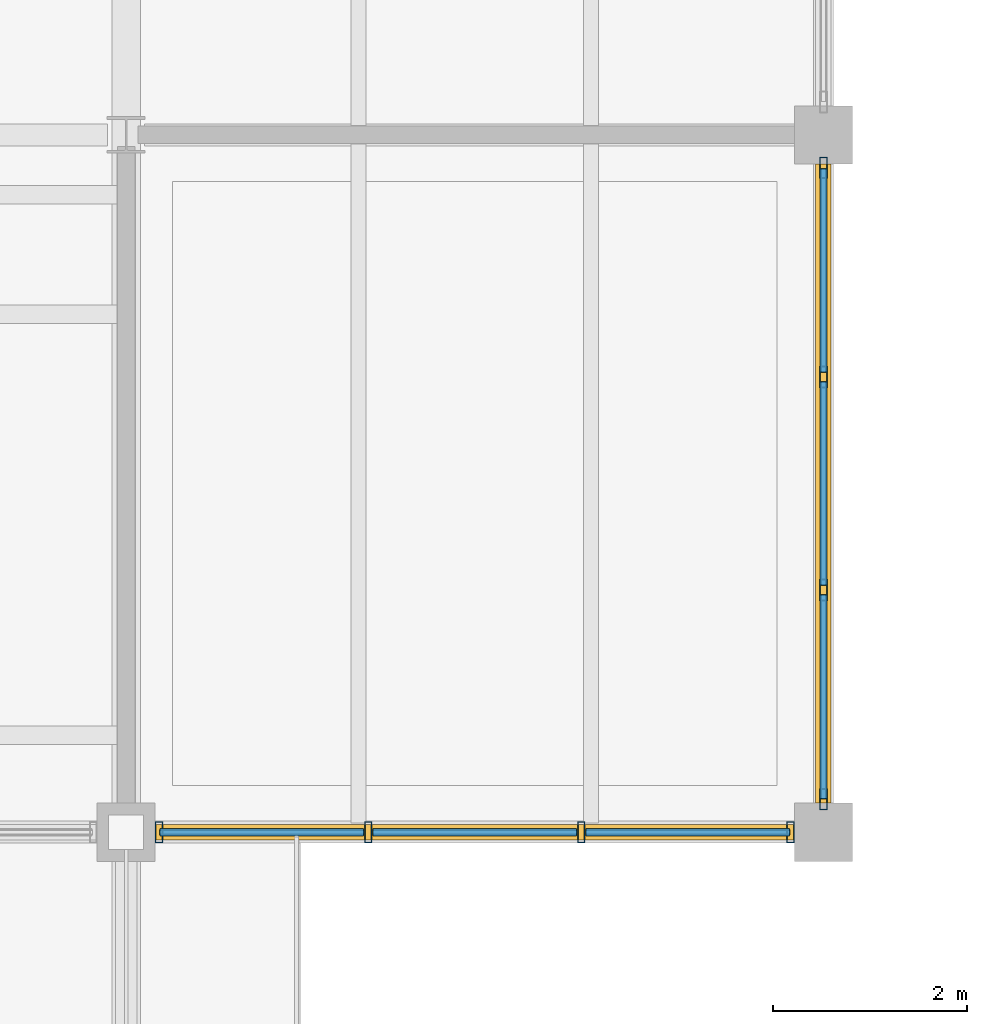
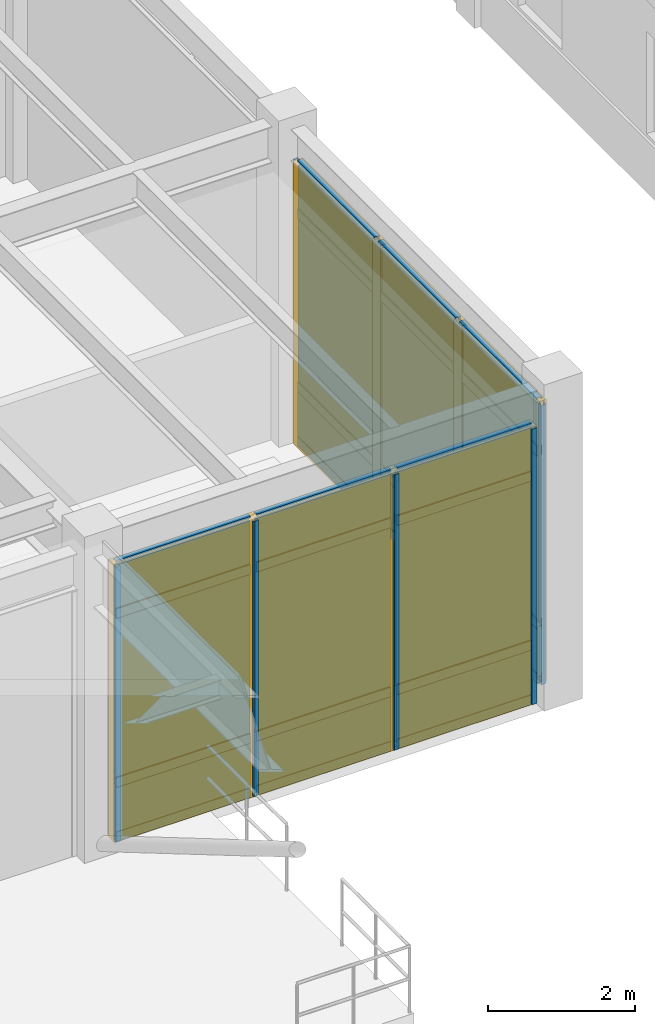
# One storey, part 56 of 97: 32 members, 12 plates, 2 curtain walls.
"""IFC4 building model written with IfcOpenShell, lengths in metres."""

from ifc_helpers import new_model, si_unit, direction, frame, origin, origin_2d, place, context, subcontext, project, spatial, rectangle, hollow_rectangle, extrude, material, layer, layer_set, material_profile, profile_set, type_object, element, aggregate, save


model = new_model("IFC4")

# Units and contexts
model_context = context("Model", 3, precision=1e-05, world=origin(), true_north=direction((0.0, 1.0)))
body_context = subcontext(model_context, "Body", "Model", "MODEL_VIEW")
ifc_project = project(units=[si_unit("LENGTHUNIT", "METRE"), si_unit("AREAUNIT", "SQUARE_METRE"), si_unit("VOLUMEUNIT", "CUBIC_METRE"), si_unit("PLANEANGLEUNIT", "RADIAN"), si_unit("MASSUNIT", "GRAM", prefix="KILO")], contexts=[model_context])

# Member
ifc_material_1 = material(Name="Anodized Aluminium 6063-T6", Category="aluminium")
ifc_material_profile_1 = material_profile(ifc_material_1, hollow_rectangle(XDim=0.074951171875, YDim=0.219970703125, WallThickness=0.0048828125, at=origin_2d()), Name="ALU 75x220x5")
ifc_profile_set_1 = profile_set([ifc_material_profile_1], Name="Anodized Aluminium 6063-T6")
member_type_1 = type_object("IfcMemberType", Name="CWM-75X180", PredefinedType="MULLION", material=ifc_profile_set_1)
site_placement = place(None, origin())
building_placement = place(site_placement, origin())
storey_placement = place(building_placement, origin())
member_1_placement = place(storey_placement, frame((114.860107421875, 7.199951171875, 0.02001953125), z_axis=(0.0, 0.0, 1.0), x_axis=(1.0, 0.0, 0.0)))
member_1 = element("IfcMember", 1, at=member_1_placement, type_object=member_type_1, Name="Curtain wall mullion CW-L01-15-01-S-00", PredefinedType="MULLION", context=body_context, shape_type="SweptSolid", body=[
    extrude(hollow_rectangle(XDim=0.074951171875, YDim=0.219970703125, WallThickness=0.0048828125, at=origin_2d()), origin(), (0.0, 0.0, 1.0), 4.557861328125),
])

member_2_placement = place(storey_placement, frame((112.699951171875, 7.199951171875, 0.02001953125), z_axis=(0.0, 0.0, 1.0), x_axis=(1.0, 0.0, 0.0)))
member_2 = element("IfcMember", 2, at=member_2_placement, type_object=member_type_1, Name="Curtain wall mullion CW-L01-15-01-S-01", PredefinedType="MULLION", context=body_context, shape_type="SweptSolid", body=[
    extrude(hollow_rectangle(XDim=0.074951171875, YDim=0.219970703125, WallThickness=0.0048828125, at=origin_2d()), origin(), (0.0, 0.0, 1.0), 4.557861328125),
])

member_3_placement = place(storey_placement, frame((110.5, 7.199951171875, 0.02001953125), z_axis=(0.0, 0.0, 1.0), x_axis=(1.0, 0.0, 0.0)))
member_3 = element("IfcMember", 3, at=member_3_placement, type_object=member_type_1, Name="Curtain wall mullion CW-L01-15-01-S-02", PredefinedType="MULLION", context=body_context, shape_type="SweptSolid", body=[
    extrude(hollow_rectangle(XDim=0.074951171875, YDim=0.219970703125, WallThickness=0.0048828125, at=origin_2d()), origin(), (0.0, 0.0, 1.0), 4.557861328125),
])

member_4_placement = place(storey_placement, frame((108.340087890625, 7.199951171875, 0.02001953125), z_axis=(0.0, 0.0, 1.0), x_axis=(1.0, 0.0, 0.0)))
member_4 = element("IfcMember", 4, at=member_4_placement, type_object=member_type_1, Name="Curtain wall mullion CW-L01-15-01-S-03", PredefinedType="MULLION", context=body_context, shape_type="SweptSolid", body=[
    extrude(hollow_rectangle(XDim=0.074951171875, YDim=0.219970703125, WallThickness=0.0048828125, at=origin_2d()), origin(), (0.0, 0.0, 1.0), 4.557861328125),
])

member_5_placement = place(storey_placement, frame((115.199951171875, 14.06005859375, 0.02001953125), z_axis=(0.0, 0.0, 1.0), x_axis=(1.0, 0.0, 0.0)))
member_5 = element("IfcMember", 5, at=member_5_placement, type_object=member_type_1, Name="Curtain wall mullion CW-L01-15-01-E-00", PredefinedType="MULLION", context=body_context, shape_type="SweptSolid", body=[
    extrude(hollow_rectangle(XDim=0.074951171875, YDim=0.219970703125, WallThickness=0.0048828125, at=origin_2d()), origin(), (0.0, 0.0, 1.0), 4.626953125),
])

member_6_placement = place(storey_placement, frame((115.199951171875, 11.89990234375, 0.02001953125), z_axis=(0.0, 0.0, 1.0), x_axis=(1.0, 0.0, 0.0)))
member_6 = element("IfcMember", 6, at=member_6_placement, type_object=member_type_1, Name="Curtain wall mullion CW-L01-15-01-E-01", PredefinedType="MULLION", context=body_context, shape_type="SweptSolid", body=[
    extrude(hollow_rectangle(XDim=0.074951171875, YDim=0.219970703125, WallThickness=0.0048828125, at=origin_2d()), origin(), (0.0, 0.0, 1.0), 4.626953125),
])

member_7_placement = place(storey_placement, frame((115.199951171875, 9.699951171875, 0.02001953125), z_axis=(0.0, 0.0, 1.0), x_axis=(1.0, 0.0, 0.0)))
member_7 = element("IfcMember", 7, at=member_7_placement, type_object=member_type_1, Name="Curtain wall mullion CW-L01-15-01-E-02", PredefinedType="MULLION", context=body_context, shape_type="SweptSolid", body=[
    extrude(hollow_rectangle(XDim=0.074951171875, YDim=0.219970703125, WallThickness=0.0048828125, at=origin_2d()), origin(), (0.0, 0.0, 1.0), 4.626953125),
])

member_8_placement = place(storey_placement, frame((115.199951171875, 7.5400390625, 0.02001953125), z_axis=(0.0, 0.0, 1.0), x_axis=(1.0, 0.0, 0.0)))
member_8 = element("IfcMember", 8, at=member_8_placement, type_object=member_type_1, Name="Curtain wall mullion CW-L01-15-01-E-03", PredefinedType="MULLION", context=body_context, shape_type="SweptSolid", body=[
    extrude(hollow_rectangle(XDim=0.074951171875, YDim=0.219970703125, WallThickness=0.0048828125, at=origin_2d()), origin(), (0.0, 0.0, 1.0), 4.626953125),
])

ifc_material_profile_2 = material_profile(ifc_material_1, hollow_rectangle(XDim=0.074951171875, YDim=0.159912109375, WallThickness=0.00390625, at=origin_2d()), Name="ALU 75x160x4")
ifc_profile_set_2 = profile_set([ifc_material_profile_2], Name="Anodized Aluminium 6063-T6")
member_type_2 = type_object("IfcMemberType", Name="CWT-75X150", PredefinedType="USERDEFINED", material=ifc_profile_set_2)
member_9_placement = place(storey_placement, frame((114.85009765625, 7.199951171875, 0.050048828125), z_axis=(-1.0, 0.0, 0.0), x_axis=(0.0, -1.0, 0.0)))
member_9 = element("IfcMember", 9, at=member_9_placement, type_object=member_type_2, Name="Curtain wall transom CW-L01-15-01-S-1.01", ObjectType="TRANSOM", PredefinedType="USERDEFINED", context=body_context, shape_type="SweptSolid", body=[
    extrude(hollow_rectangle(XDim=0.074951171875, YDim=0.159912109375, WallThickness=0.00390625, at=origin_2d()), origin(), (0.0, 0.0, 1.0), 2.10009765625),
])

member_10_placement = place(storey_placement, frame((112.64990234375, 7.199951171875, 0.050048828125), z_axis=(-1.0, 0.0, 0.0), x_axis=(0.0, -1.0, 0.0)))
member_10 = element("IfcMember", 10, at=member_10_placement, type_object=member_type_2, Name="Curtain wall transom CW-L01-15-01-S-1.02", ObjectType="TRANSOM", PredefinedType="USERDEFINED", context=body_context, shape_type="SweptSolid", body=[
    extrude(hollow_rectangle(XDim=0.074951171875, YDim=0.159912109375, WallThickness=0.00390625, at=origin_2d()), origin(), (0.0, 0.0, 1.0), 2.099853515625),
])

member_11_placement = place(storey_placement, frame((110.449951171875, 7.199951171875, 0.050048828125), z_axis=(-1.0, 0.0, 0.0), x_axis=(0.0, -1.0, 0.0)))
member_11 = element("IfcMember", 11, at=member_11_placement, type_object=member_type_2, Name="Curtain wall transom CW-L01-15-01-S-1.03", ObjectType="TRANSOM", PredefinedType="USERDEFINED", context=body_context, shape_type="SweptSolid", body=[
    extrude(hollow_rectangle(XDim=0.074951171875, YDim=0.159912109375, WallThickness=0.00390625, at=origin_2d()), origin(), (0.0, 0.0, 1.0), 2.099853515625),
])

member_12_placement = place(storey_placement, frame((114.85009765625, 7.199951171875, 0.949951171875), z_axis=(-1.0, 0.0, 0.0), x_axis=(0.0, -1.0, 0.0)))
member_12 = element("IfcMember", 12, at=member_12_placement, type_object=member_type_2, Name="Curtain wall transom CW-L01-15-01-S-2.01", ObjectType="TRANSOM", PredefinedType="USERDEFINED", context=body_context, shape_type="SweptSolid", body=[
    extrude(hollow_rectangle(XDim=0.074951171875, YDim=0.159912109375, WallThickness=0.00390625, at=origin_2d()), origin(), (0.0, 0.0, 1.0), 2.10009765625),
])

member_13_placement = place(storey_placement, frame((112.64990234375, 7.199951171875, 0.949951171875), z_axis=(-1.0, 0.0, 0.0), x_axis=(0.0, -1.0, 0.0)))
member_13 = element("IfcMember", 13, at=member_13_placement, type_object=member_type_2, Name="Curtain wall transom CW-L01-15-01-S-2.02", ObjectType="TRANSOM", PredefinedType="USERDEFINED", context=body_context, shape_type="SweptSolid", body=[
    extrude(hollow_rectangle(XDim=0.074951171875, YDim=0.159912109375, WallThickness=0.00390625, at=origin_2d()), origin(), (0.0, 0.0, 1.0), 2.099853515625),
])

member_14_placement = place(storey_placement, frame((110.449951171875, 7.199951171875, 0.949951171875), z_axis=(-1.0, 0.0, 0.0), x_axis=(0.0, -1.0, 0.0)))
member_14 = element("IfcMember", 14, at=member_14_placement, type_object=member_type_2, Name="Curtain wall transom CW-L01-15-01-S-2.03", ObjectType="TRANSOM", PredefinedType="USERDEFINED", context=body_context, shape_type="SweptSolid", body=[
    extrude(hollow_rectangle(XDim=0.074951171875, YDim=0.159912109375, WallThickness=0.00390625, at=origin_2d()), origin(), (0.0, 0.0, 1.0), 2.099853515625),
])

member_15_placement = place(storey_placement, frame((114.85009765625, 7.199951171875, 3.748046875), z_axis=(-1.0, 0.0, 0.0), x_axis=(0.0, -1.0, 0.0)))
member_15 = element("IfcMember", 15, at=member_15_placement, type_object=member_type_2, Name="Curtain wall transom CW-L01-15-01-S-3.01", ObjectType="TRANSOM", PredefinedType="USERDEFINED", context=body_context, shape_type="SweptSolid", body=[
    extrude(hollow_rectangle(XDim=0.074951171875, YDim=0.159912109375, WallThickness=0.00390625, at=origin_2d()), origin(), (0.0, 0.0, 1.0), 2.10009765625),
])

member_16_placement = place(storey_placement, frame((112.64990234375, 7.199951171875, 3.748046875), z_axis=(-1.0, 0.0, 0.0), x_axis=(0.0, -1.0, 0.0)))
member_16 = element("IfcMember", 16, at=member_16_placement, type_object=member_type_2, Name="Curtain wall transom CW-L01-15-01-S-3.02", ObjectType="TRANSOM", PredefinedType="USERDEFINED", context=body_context, shape_type="SweptSolid", body=[
    extrude(hollow_rectangle(XDim=0.074951171875, YDim=0.159912109375, WallThickness=0.00390625, at=origin_2d()), origin(), (0.0, 0.0, 1.0), 2.099853515625),
])

member_17_placement = place(storey_placement, frame((110.449951171875, 7.199951171875, 3.748046875), z_axis=(-1.0, 0.0, 0.0), x_axis=(0.0, -1.0, 0.0)))
member_17 = element("IfcMember", 17, at=member_17_placement, type_object=member_type_2, Name="Curtain wall transom CW-L01-15-01-S-3.03", ObjectType="TRANSOM", PredefinedType="USERDEFINED", context=body_context, shape_type="SweptSolid", body=[
    extrude(hollow_rectangle(XDim=0.074951171875, YDim=0.159912109375, WallThickness=0.00390625, at=origin_2d()), origin(), (0.0, 0.0, 1.0), 2.099853515625),
])

member_18_placement = place(storey_placement, frame((114.85009765625, 7.199951171875, 4.548095703125), z_axis=(-1.0, 0.0, 0.0), x_axis=(0.0, -1.0, 0.0)))
member_18 = element("IfcMember", 18, at=member_18_placement, type_object=member_type_2, Name="Curtain wall transom CW-L01-15-01-S-4.01", ObjectType="TRANSOM", PredefinedType="USERDEFINED", context=body_context, shape_type="SweptSolid", body=[
    extrude(hollow_rectangle(XDim=0.074951171875, YDim=0.159912109375, WallThickness=0.00390625, at=origin_2d()), origin(), (0.0, 0.0, 1.0), 2.10009765625),
])

member_19_placement = place(storey_placement, frame((112.64990234375, 7.199951171875, 4.548095703125), z_axis=(-1.0, 0.0, 0.0), x_axis=(0.0, -1.0, 0.0)))
member_19 = element("IfcMember", 19, at=member_19_placement, type_object=member_type_2, Name="Curtain wall transom CW-L01-15-01-S-4.02", ObjectType="TRANSOM", PredefinedType="USERDEFINED", context=body_context, shape_type="SweptSolid", body=[
    extrude(hollow_rectangle(XDim=0.074951171875, YDim=0.159912109375, WallThickness=0.00390625, at=origin_2d()), origin(), (0.0, 0.0, 1.0), 2.099853515625),
])

member_20_placement = place(storey_placement, frame((110.449951171875, 7.199951171875, 4.548095703125), z_axis=(-1.0, 0.0, 0.0), x_axis=(0.0, -1.0, 0.0)))
member_20 = element("IfcMember", 20, at=member_20_placement, type_object=member_type_2, Name="Curtain wall transom CW-L01-15-01-S-4.03", ObjectType="TRANSOM", PredefinedType="USERDEFINED", context=body_context, shape_type="SweptSolid", body=[
    extrude(hollow_rectangle(XDim=0.074951171875, YDim=0.159912109375, WallThickness=0.00390625, at=origin_2d()), origin(), (0.0, 0.0, 1.0), 2.099853515625),
])

member_21_placement = place(storey_placement, frame((115.199951171875, 14.050048828125, 0.050048828125), z_axis=(0.0, -1.0, 0.0), x_axis=(1.0, 0.0, 0.0)))
member_21 = element("IfcMember", 21, at=member_21_placement, type_object=member_type_2, Name="Curtain wall transom CW-L01-15-01-E-1.01", ObjectType="TRANSOM", PredefinedType="USERDEFINED", context=body_context, shape_type="SweptSolid", body=[
    extrude(hollow_rectangle(XDim=0.074951171875, YDim=0.159912109375, WallThickness=0.00390625, at=origin_2d()), origin(), (0.0, 0.0, 1.0), 2.10009765625),
])

member_22_placement = place(storey_placement, frame((115.199951171875, 11.85009765625, 0.050048828125), z_axis=(0.0, -1.0, 0.0), x_axis=(1.0, 0.0, 0.0)))
member_22 = element("IfcMember", 22, at=member_22_placement, type_object=member_type_2, Name="Curtain wall transom CW-L01-15-01-E-1.02", ObjectType="TRANSOM", PredefinedType="USERDEFINED", context=body_context, shape_type="SweptSolid", body=[
    extrude(hollow_rectangle(XDim=0.074951171875, YDim=0.159912109375, WallThickness=0.00390625, at=origin_2d()), origin(), (0.0, 0.0, 1.0), 2.10009765625),
])

member_23_placement = place(storey_placement, frame((115.199951171875, 9.64990234375, 0.050048828125), z_axis=(0.0, -1.0, 0.0), x_axis=(1.0, 0.0, 0.0)))
member_23 = element("IfcMember", 23, at=member_23_placement, type_object=member_type_2, Name="Curtain wall transom CW-L01-15-01-E-1.03", ObjectType="TRANSOM", PredefinedType="USERDEFINED", context=body_context, shape_type="SweptSolid", body=[
    extrude(hollow_rectangle(XDim=0.074951171875, YDim=0.159912109375, WallThickness=0.00390625, at=origin_2d()), origin(), (0.0, 0.0, 1.0), 2.099853515625),
])

member_24_placement = place(storey_placement, frame((115.199951171875, 14.050048828125, 0.949951171875), z_axis=(0.0, -1.0, 0.0), x_axis=(1.0, 0.0, 0.0)))
member_24 = element("IfcMember", 24, at=member_24_placement, type_object=member_type_2, Name="Curtain wall transom CW-L01-15-01-E-2.01", ObjectType="TRANSOM", PredefinedType="USERDEFINED", context=body_context, shape_type="SweptSolid", body=[
    extrude(hollow_rectangle(XDim=0.074951171875, YDim=0.159912109375, WallThickness=0.00390625, at=origin_2d()), origin(), (0.0, 0.0, 1.0), 2.10009765625),
])

member_25_placement = place(storey_placement, frame((115.199951171875, 11.85009765625, 0.949951171875), z_axis=(0.0, -1.0, 0.0), x_axis=(1.0, 0.0, 0.0)))
member_25 = element("IfcMember", 25, at=member_25_placement, type_object=member_type_2, Name="Curtain wall transom CW-L01-15-01-E-2.02", ObjectType="TRANSOM", PredefinedType="USERDEFINED", context=body_context, shape_type="SweptSolid", body=[
    extrude(hollow_rectangle(XDim=0.074951171875, YDim=0.159912109375, WallThickness=0.00390625, at=origin_2d()), origin(), (0.0, 0.0, 1.0), 2.10009765625),
])

member_26_placement = place(storey_placement, frame((115.199951171875, 9.64990234375, 0.949951171875), z_axis=(0.0, -1.0, 0.0), x_axis=(1.0, 0.0, 0.0)))
member_26 = element("IfcMember", 26, at=member_26_placement, type_object=member_type_2, Name="Curtain wall transom CW-L01-15-01-E-2.03", ObjectType="TRANSOM", PredefinedType="USERDEFINED", context=body_context, shape_type="SweptSolid", body=[
    extrude(hollow_rectangle(XDim=0.074951171875, YDim=0.159912109375, WallThickness=0.00390625, at=origin_2d()), origin(), (0.0, 0.0, 1.0), 2.099853515625),
])

member_27_placement = place(storey_placement, frame((115.199951171875, 14.050048828125, 3.81689453125), z_axis=(0.0, -1.0, 0.0), x_axis=(1.0, 0.0, 0.0)))
member_27 = element("IfcMember", 27, at=member_27_placement, type_object=member_type_2, Name="Curtain wall transom CW-L01-15-01-E-3.01", ObjectType="TRANSOM", PredefinedType="USERDEFINED", context=body_context, shape_type="SweptSolid", body=[
    extrude(hollow_rectangle(XDim=0.074951171875, YDim=0.159912109375, WallThickness=0.00390625, at=origin_2d()), origin(), (0.0, 0.0, 1.0), 2.10009765625),
])

member_28_placement = place(storey_placement, frame((115.199951171875, 11.85009765625, 3.81689453125), z_axis=(0.0, -1.0, 0.0), x_axis=(1.0, 0.0, 0.0)))
member_28 = element("IfcMember", 28, at=member_28_placement, type_object=member_type_2, Name="Curtain wall transom CW-L01-15-01-E-3.02", ObjectType="TRANSOM", PredefinedType="USERDEFINED", context=body_context, shape_type="SweptSolid", body=[
    extrude(hollow_rectangle(XDim=0.074951171875, YDim=0.159912109375, WallThickness=0.00390625, at=origin_2d()), origin(), (0.0, 0.0, 1.0), 2.10009765625),
])

member_29_placement = place(storey_placement, frame((115.199951171875, 9.64990234375, 3.81689453125), z_axis=(0.0, -1.0, 0.0), x_axis=(1.0, 0.0, 0.0)))
member_29 = element("IfcMember", 29, at=member_29_placement, type_object=member_type_2, Name="Curtain wall transom CW-L01-15-01-E-3.03", ObjectType="TRANSOM", PredefinedType="USERDEFINED", context=body_context, shape_type="SweptSolid", body=[
    extrude(hollow_rectangle(XDim=0.074951171875, YDim=0.159912109375, WallThickness=0.00390625, at=origin_2d()), origin(), (0.0, 0.0, 1.0), 2.099853515625),
])

member_30_placement = place(storey_placement, frame((115.199951171875, 14.050048828125, 4.616943359375), z_axis=(0.0, -1.0, 0.0), x_axis=(1.0, 0.0, 0.0)))
member_30 = element("IfcMember", 30, at=member_30_placement, type_object=member_type_2, Name="Curtain wall transom CW-L01-15-01-E-4.01", ObjectType="TRANSOM", PredefinedType="USERDEFINED", context=body_context, shape_type="SweptSolid", body=[
    extrude(hollow_rectangle(XDim=0.074951171875, YDim=0.159912109375, WallThickness=0.00390625, at=origin_2d()), origin(), (0.0, 0.0, 1.0), 2.10009765625),
])

member_31_placement = place(storey_placement, frame((115.199951171875, 11.85009765625, 4.616943359375), z_axis=(0.0, -1.0, 0.0), x_axis=(1.0, 0.0, 0.0)))
member_31 = element("IfcMember", 31, at=member_31_placement, type_object=member_type_2, Name="Curtain wall transom CW-L01-15-01-E-4.02", ObjectType="TRANSOM", PredefinedType="USERDEFINED", context=body_context, shape_type="SweptSolid", body=[
    extrude(hollow_rectangle(XDim=0.074951171875, YDim=0.159912109375, WallThickness=0.00390625, at=origin_2d()), origin(), (0.0, 0.0, 1.0), 2.10009765625),
])

member_32_placement = place(storey_placement, frame((115.199951171875, 9.64990234375, 4.616943359375), z_axis=(0.0, -1.0, 0.0), x_axis=(1.0, 0.0, 0.0)))
member_32 = element("IfcMember", 32, at=member_32_placement, type_object=member_type_2, Name="Curtain wall transom CW-L01-15-01-E-4.03", ObjectType="TRANSOM", PredefinedType="USERDEFINED", context=body_context, shape_type="SweptSolid", body=[
    extrude(hollow_rectangle(XDim=0.074951171875, YDim=0.159912109375, WallThickness=0.00390625, at=origin_2d()), origin(), (0.0, 0.0, 1.0), 2.099853515625),
])

# Plate
ifc_material_2 = material(Name="Acoustic Laminated Low-E Glazing", Category="glass")
ifc_layer_1 = layer(ifc_material_2, 0.0439453125)
ifc_layer_set_1 = layer_set([ifc_layer_1], Name="Acoustic Laminated Low-E Glazing")
plate_type_1 = type_object("IfcPlateType", Name="CWP-IGU-44", PredefinedType="CURTAIN_PANEL", material=ifc_layer_set_1)
plate_1_placement = place(storey_placement, frame((113.800048828125, 7.199951171875, 0.98974609375), z_axis=(0.0, 0.0, 1.0), x_axis=(-1.0, 0.0, 0.0)))
plate_1 = element("IfcPlate", 33, at=plate_1_placement, type_object=plate_type_1, Name="Curtain wall vision glazing CW-L01-15-01-S-01", PredefinedType="CURTAIN_PANEL", context=body_context, shape_type="SweptSolid", body=[
    extrude(rectangle(XDim=2.110107421875, YDim=0.0400390625, at=origin_2d()), origin(), (0.0, 0.0, 1.0), 3.548095703125),
])

plate_2_placement = place(storey_placement, frame((111.60009765625, 7.199951171875, 0.98974609375), z_axis=(0.0, 0.0, 1.0), x_axis=(-1.0, 0.0, 0.0)))
plate_2 = element("IfcPlate", 34, at=plate_2_placement, type_object=plate_type_1, Name="Curtain wall vision glazing CW-L01-15-01-S-02", PredefinedType="CURTAIN_PANEL", context=body_context, shape_type="SweptSolid", body=[
    extrude(rectangle(XDim=2.110107421875, YDim=0.0400390625, at=origin_2d()), origin(), (0.0, 0.0, 1.0), 3.548095703125),
])

plate_3_placement = place(storey_placement, frame((109.39990234375, 7.199951171875, 0.98974609375), z_axis=(0.0, 0.0, 1.0), x_axis=(-1.0, 0.0, 0.0)))
plate_3 = element("IfcPlate", 35, at=plate_3_placement, type_object=plate_type_1, Name="Curtain wall vision glazing CW-L01-15-01-S-03", PredefinedType="CURTAIN_PANEL", context=body_context, shape_type="SweptSolid", body=[
    extrude(rectangle(XDim=2.110107421875, YDim=0.0400390625, at=origin_2d()), origin(), (0.0, 0.0, 1.0), 3.548095703125),
])

plate_4_placement = place(storey_placement, frame((115.199951171875, 13.0, 0.990234375), z_axis=(0.0, 0.0, 1.0), x_axis=(0.0, -1.0, 0.0)))
plate_4 = element("IfcPlate", 36, at=plate_4_placement, type_object=plate_type_1, Name="Curtain wall vision glazing CW-L01-15-01-E-01", PredefinedType="CURTAIN_PANEL", context=body_context, shape_type="SweptSolid", body=[
    extrude(rectangle(XDim=2.110107421875, YDim=0.0400390625, at=origin_2d()), origin(), (0.0, 0.0, 1.0), 3.616943359375),
])

plate_5_placement = place(storey_placement, frame((115.199951171875, 10.800048828125, 0.990234375), z_axis=(0.0, 0.0, 1.0), x_axis=(0.0, -1.0, 0.0)))
plate_5 = element("IfcPlate", 37, at=plate_5_placement, type_object=plate_type_1, Name="Curtain wall vision glazing CW-L01-15-01-E-02", PredefinedType="CURTAIN_PANEL", context=body_context, shape_type="SweptSolid", body=[
    extrude(rectangle(XDim=2.110107421875, YDim=0.0400390625, at=origin_2d()), origin(), (0.0, 0.0, 1.0), 3.616943359375),
])

plate_6_placement = place(storey_placement, frame((115.199951171875, 8.60009765625, 0.990234375), z_axis=(0.0, 0.0, 1.0), x_axis=(0.0, -1.0, 0.0)))
plate_6 = element("IfcPlate", 38, at=plate_6_placement, type_object=plate_type_1, Name="Curtain wall vision glazing CW-L01-15-01-E-03", PredefinedType="CURTAIN_PANEL", context=body_context, shape_type="SweptSolid", body=[
    extrude(rectangle(XDim=2.110107421875, YDim=0.0400390625, at=origin_2d()), origin(), (0.0, 0.0, 1.0), 3.616943359375),
])

ifc_material_3 = material(Name="Insulated Stone-Composite Spandrel", Category="masonry")
ifc_layer_2 = layer(ifc_material_3, 0.068115234375)
ifc_layer_set_2 = layer_set([ifc_layer_2], Name="Insulated Stone-Composite Spandrel")
plate_type_2 = type_object("IfcPlateType", Name="CWP-SPN-68", PredefinedType="CURTAIN_PANEL", material=ifc_layer_set_2)
plate_7_placement = place(storey_placement, frame((113.800048828125, 7.199951171875, 0.080078125), z_axis=(0.0, 0.0, 1.0), x_axis=(-1.0, 0.0, 0.0)))
plate_7 = element("IfcPlate", 39, at=plate_7_placement, type_object=plate_type_2, Name="Curtain wall spandrel panel CW-L01-15-01-S-01", PredefinedType="CURTAIN_PANEL", context=body_context, shape_type="SweptSolid", body=[
    extrude(rectangle(XDim=2.110107421875, YDim=0.06005859375, at=origin_2d()), origin(), (0.0, 0.0, 1.0), 0.840087890625),
])

plate_8_placement = place(storey_placement, frame((111.60009765625, 7.199951171875, 0.080078125), z_axis=(0.0, 0.0, 1.0), x_axis=(-1.0, 0.0, 0.0)))
plate_8 = element("IfcPlate", 40, at=plate_8_placement, type_object=plate_type_2, Name="Curtain wall spandrel panel CW-L01-15-01-S-02", PredefinedType="CURTAIN_PANEL", context=body_context, shape_type="SweptSolid", body=[
    extrude(rectangle(XDim=2.110107421875, YDim=0.06005859375, at=origin_2d()), origin(), (0.0, 0.0, 1.0), 0.840087890625),
])

plate_9_placement = place(storey_placement, frame((109.39990234375, 7.199951171875, 0.080078125), z_axis=(0.0, 0.0, 1.0), x_axis=(-1.0, 0.0, 0.0)))
plate_9 = element("IfcPlate", 41, at=plate_9_placement, type_object=plate_type_2, Name="Curtain wall spandrel panel CW-L01-15-01-S-03", PredefinedType="CURTAIN_PANEL", context=body_context, shape_type="SweptSolid", body=[
    extrude(rectangle(XDim=2.110107421875, YDim=0.06005859375, at=origin_2d()), origin(), (0.0, 0.0, 1.0), 0.840087890625),
])

plate_10_placement = place(storey_placement, frame((115.199951171875, 13.0, 0.080078125), z_axis=(0.0, 0.0, 1.0), x_axis=(0.0, -1.0, 0.0)))
plate_10 = element("IfcPlate", 42, at=plate_10_placement, type_object=plate_type_2, Name="Curtain wall spandrel panel CW-L01-15-01-E-01", PredefinedType="CURTAIN_PANEL", context=body_context, shape_type="SweptSolid", body=[
    extrude(rectangle(XDim=2.110107421875, YDim=0.06005859375, at=origin_2d()), origin(), (0.0, 0.0, 1.0), 0.840087890625),
])

plate_11_placement = place(storey_placement, frame((115.199951171875, 10.800048828125, 0.080078125), z_axis=(0.0, 0.0, 1.0), x_axis=(0.0, -1.0, 0.0)))
plate_11 = element("IfcPlate", 43, at=plate_11_placement, type_object=plate_type_2, Name="Curtain wall spandrel panel CW-L01-15-01-E-02", PredefinedType="CURTAIN_PANEL", context=body_context, shape_type="SweptSolid", body=[
    extrude(rectangle(XDim=2.110107421875, YDim=0.06005859375, at=origin_2d()), origin(), (0.0, 0.0, 1.0), 0.840087890625),
])

plate_12_placement = place(storey_placement, frame((115.199951171875, 8.60009765625, 0.080078125), z_axis=(0.0, 0.0, 1.0), x_axis=(0.0, -1.0, 0.0)))
plate_12 = element("IfcPlate", 44, at=plate_12_placement, type_object=plate_type_2, Name="Curtain wall spandrel panel CW-L01-15-01-E-03", PredefinedType="CURTAIN_PANEL", context=body_context, shape_type="SweptSolid", body=[
    extrude(rectangle(XDim=2.110107421875, YDim=0.06005859375, at=origin_2d()), origin(), (0.0, 0.0, 1.0), 0.840087890625),
])

# Site, building, storey
site = spatial("IfcSite", under=ifc_project, at=site_placement, CompositionType="ELEMENT")
building = spatial("IfcBuilding", under=site, at=building_placement, Name="Sillqori Civic Hall", CompositionType="ELEMENT")
storey = spatial("IfcBuildingStorey", under=building, at=storey_placement, Name="L01", CompositionType="ELEMENT", Elevation=0.0)

# Curtain wall
ifc_material_4 = material(Name="Anodized Aluminium Curtain Wall System", Category="aluminium")
curtain_wall_type = type_object("IfcCurtainWallType", Name="CW-SF-480", PredefinedType="NOTDEFINED", material=ifc_material_4)
curtain_wall_1_placement = place(storey_placement, frame((111.60009765625, 7.199951171875, 0.0), z_axis=(0.0, 0.0, 1.0), x_axis=(-1.0, 0.0, 0.0)))
curtain_wall_1 = element("IfcCurtainWall", 45, at=curtain_wall_1_placement, inside=storey, type_object=curtain_wall_type, Name="L01 unitised curtain wall CW-L01-15-01-S", PredefinedType="NOTDEFINED", context=body_context, shape_type="SweptSolid", body=[
    extrude(rectangle(XDim=6.60009765625, YDim=0.159912109375, at=origin_2d()), origin(), (0.0, 0.0, 1.0), 4.597900390625),
])

aggregate(curtain_wall_1, [member_1, member_2, member_3, member_4, member_9, member_10, member_11, member_12, member_13, member_14, member_15, member_16, member_17, member_18, member_19, member_20, plate_7, plate_1, plate_8, plate_2, plate_9, plate_3])

curtain_wall_2_placement = place(storey_placement, frame((115.199951171875, 10.800048828125, 0.0), z_axis=(0.0, 0.0, 1.0), x_axis=(0.0, -1.0, 0.0)))
curtain_wall_2 = element("IfcCurtainWall", 46, at=curtain_wall_2_placement, inside=storey, type_object=curtain_wall_type, Name="L01 unitised curtain wall CW-L01-15-01-E", PredefinedType="NOTDEFINED", context=body_context, shape_type="SweptSolid", body=[
    extrude(rectangle(XDim=6.60009765625, YDim=0.159912109375, at=origin_2d()), origin(), (0.0, 0.0, 1.0), 4.6669921875),
])

aggregate(curtain_wall_2, [member_5, member_6, member_7, member_8, member_21, member_22, member_23, member_24, member_25, member_26, member_27, member_28, member_29, member_30, member_31, member_32, plate_10, plate_4, plate_11, plate_5, plate_12, plate_6])

save(model, "model.ifc")
